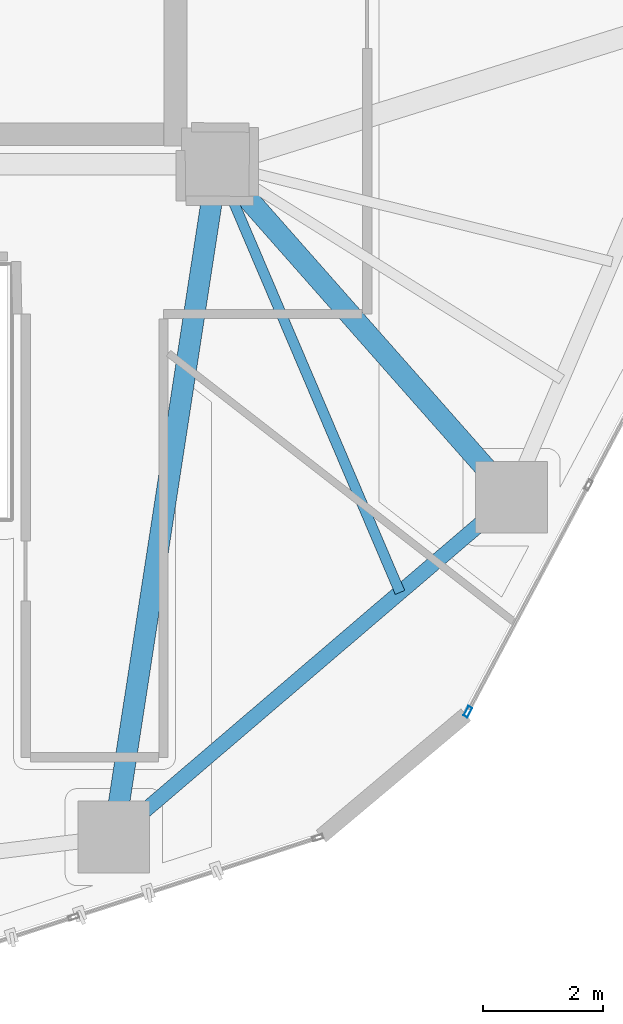
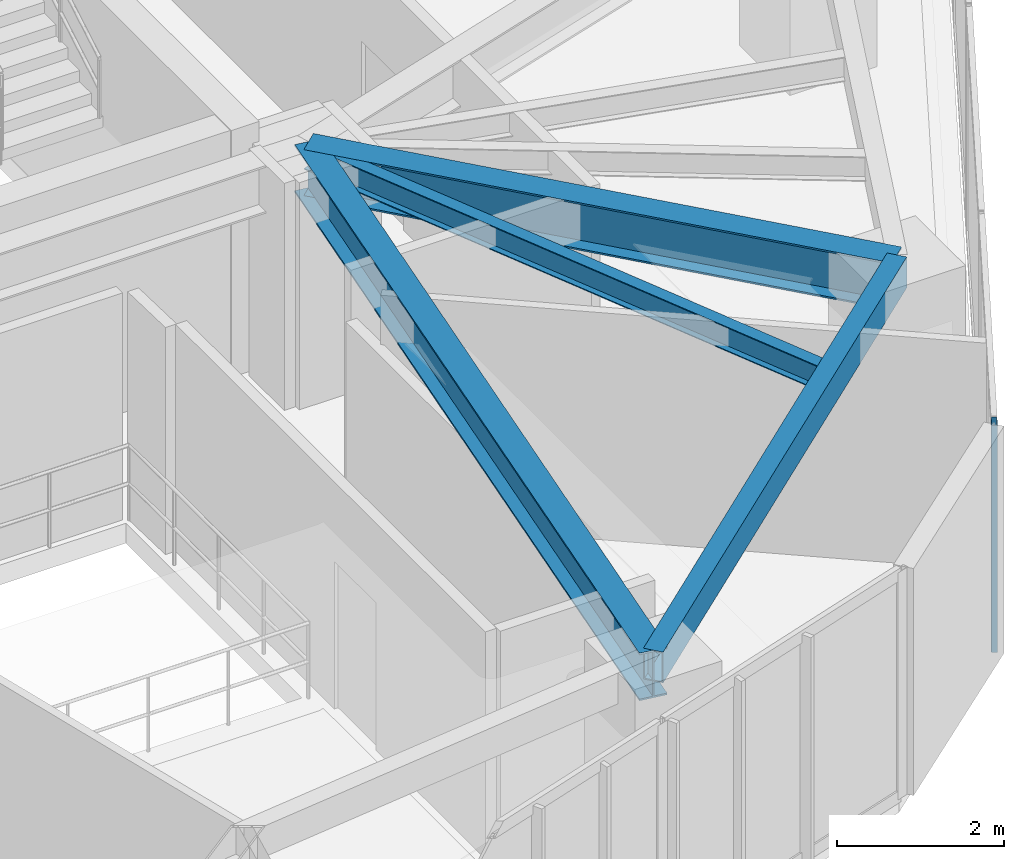
# One storey, part 6 of 21: 4 beams, 1 member, 1 element without a shape of its own.
"""IFC4 building model written with IfcOpenShell, lengths in metres."""

from ifc_helpers import new_model, si_unit, direction, frame, origin, origin_2d, place, context, subcontext, project, spatial, hollow_rectangle, i_section, extrude, source, transform, mapped, material, layer, layer_set, material_profile, profile_set, type_object, type_shapes, element, aggregate, save


model = new_model("IFC4")

# Units and contexts
model_context = context("Model", 3, precision=1e-05, world=origin(), true_north=direction((0.0, 1.0)))
body_context = subcontext(model_context, "Body", "Model", "MODEL_VIEW")
ifc_project = project(units=[si_unit("LENGTHUNIT", "METRE"), si_unit("AREAUNIT", "SQUARE_METRE"), si_unit("VOLUMEUNIT", "CUBIC_METRE"), si_unit("PLANEANGLEUNIT", "RADIAN"), si_unit("MASSUNIT", "GRAM", prefix="KILO")], contexts=[model_context])

# Site, building, storey
site_placement = place(None, origin())
site = spatial("IfcSite", under=ifc_project, at=site_placement, CompositionType="ELEMENT")
building_placement = place(site_placement, origin())
building = spatial("IfcBuilding", under=site, at=building_placement, Name="Talar Marvaseh", CompositionType="ELEMENT")
storey_placement = place(building_placement, frame((0.0, 0.0, 143.39990234375)))
storey = spatial("IfcBuildingStorey", under=building, at=storey_placement, Name="L37", CompositionType="ELEMENT", Elevation=143.39990234375)

# Beams
ifc_material_1 = material(Name="Steel S355", Category="steel")
ifc_material_profile_1 = material_profile(ifc_material_1, hollow_rectangle(XDim=0.25, YDim=0.449951171875, WallThickness=0.01611328125, at=origin_2d()), Name="RHS450x250x16")
ifc_profile_set_1 = profile_set([ifc_material_profile_1], Name="Steel S355")
beam_type_1 = type_object("IfcBeamType", Name="Zone 2 Perimeter Spandrel Beam RHS450x250x16", PredefinedType="SPANDREL", material=ifc_profile_set_1)
beam_1_placement = place(storey_placement, frame((38.2060546875, 19.94091796875, 3.085205078125), z_axis=(-0.76011265597, -0.649791312833, 0.0), x_axis=(0.649791312833, -0.76011265597, 0.0)))
element("IfcBeam", 1, at=beam_1_placement, inside=storey, type_object=beam_type_1, Name="L37 Zone 2 Perimeter Spandrel Beam RHS450x250x16", PredefinedType="SPANDREL", context=body_context, shape_type="SweptSolid", body=[
    extrude(hollow_rectangle(XDim=0.25, YDim=0.449951171875, WallThickness=0.01611328125, at=origin_2d()), origin(), (0.0, 0.0, 1.0), 8.730224609375),
])
ifc_material_profile_2 = material_profile(ifc_material_1, i_section(OverallWidth=0.35498046875, OverallDepth=0.695068359375, WebThickness=0.015380859375, FlangeThickness=0.02490234375, at=origin_2d()), Name="W690x217")
ifc_profile_set_2 = profile_set([ifc_material_profile_2], Name="Steel S355")
beam_type_2 = type_object("IfcBeamType", Name="Zone 2 Radial Floor Girder W690x217", PredefinedType="BEAM", material=ifc_profile_set_2)
beam_2_placement = place(storey_placement, frame((38.2060546875, 19.94091796875, 2.962646484375), z_axis=(-0.661692423388, 0.749775390921, 0.0), x_axis=(-0.749775390921, -0.661692423388, 0.0)))
element("IfcBeam", 2, at=beam_2_placement, inside=storey, type_object=beam_type_2, Name="L37 Zone 2 Radial Floor Girder W690x217", PredefinedType="BEAM", context=body_context, shape_type="SweptSolid", body=[
    extrude(i_section(OverallWidth=0.35498046875, OverallDepth=0.695068359375, WebThickness=0.015380859375, FlangeThickness=0.02490234375, at=origin_2d()), origin(), (0.0, 0.0, 1.0), 7.414306640625),
])
beam_3_placement = place(storey_placement, frame((31.570068359375, 14.26806640625, 2.962646484375), z_axis=(0.152228300633, 0.98834535689, 0.0), x_axis=(-0.98834535689, 0.152228300633, 0.0)))
element("IfcBeam", 3, at=beam_3_placement, inside=storey, type_object=beam_type_2, Name="L37 Zone 2 Radial Floor Girder W690x217", PredefinedType="BEAM", context=body_context, shape_type="SweptSolid", body=[
    extrude(i_section(OverallWidth=0.35498046875, OverallDepth=0.695068359375, WebThickness=0.015380859375, FlangeThickness=0.02490234375, at=origin_2d()), origin(), (0.0, 0.0, 1.0), 11.364501953125),
])
ifc_material_profile_3 = material_profile(ifc_material_1, i_section(OverallWidth=0.172119140625, OverallDepth=0.35791015625, WebThickness=0.0078125, FlangeThickness=0.01318359375, at=origin_2d()), Name="W360x57")
ifc_profile_set_3 = profile_set([ifc_material_profile_3], Name="Steel S355")
beam_type_3 = type_object("IfcBeamType", Name="Zone 2 Secondary Floor Joist W360x57", PredefinedType="JOIST", material=ifc_profile_set_3)
beam_4_placement = place(storey_placement, frame((36.347900390625, 18.3525390625, 3.131103515625), z_axis=(-0.39225012708, 0.919858596636, 0.0), x_axis=(-0.919858596636, -0.39225012708, 0.0)))
element("IfcBeam", 4, at=beam_4_placement, inside=storey, type_object=beam_type_3, Name="L37 Zone 2 Secondary Floor Joist W360x57", PredefinedType="JOIST", context=body_context, shape_type="SweptSolid", body=[
    extrude(i_section(OverallWidth=0.172119140625, OverallDepth=0.35791015625, WebThickness=0.0078125, FlangeThickness=0.01318359375, at=origin_2d()), origin(), (0.0, 0.0, 1.0), 7.770263671875),
])

# Curtain wall, member
ifc_material_2 = material(Name="Architectural Aluminium", Category="aluminium")
ifc_layer = layer(ifc_material_2, 0.199951171875)
ifc_layer_set = layer_set([ifc_layer], Name="Architectural Aluminium")
curtain_wall_type = type_object("IfcCurtainWallType", Name="Unitised Acoustic Library Curtain Wall Z2", PredefinedType="NOTDEFINED", material=ifc_layer_set)
curtain_wall_placement = place(storey_placement, origin())
curtain_wall = element("IfcCurtainWall", 5, at=curtain_wall_placement, inside=storey, type_object=curtain_wall_type, Name="L37 Unitised Acoustic Library Curtain Wall Z2", PredefinedType="NOTDEFINED")
ifc_material_profile_4 = material_profile(ifc_material_2, hollow_rectangle(XDim=0.074951171875, YDim=0.179931640625, WallThickness=0.0048828125, at=origin_2d()), Name="RHS180x75x5")
ifc_profile_set_4 = profile_set([ifc_material_profile_4], Name="Architectural Aluminium")
member_type = type_object("IfcMemberType", Name="Unitised Curtain Wall Standard Mullion RHS180x75x5", PredefinedType="MULLION", material=ifc_profile_set_4)
shared_shape = source(origin(), body_context, "Body", "SweptSolid", [
    extrude(hollow_rectangle(XDim=0.074951171875, YDim=0.179931640625, WallThickness=0.0048828125, at=origin_2d()), origin(), (0.0, 0.0, 1.0), 3.31005859375),
])
type_shapes(member_type, [shared_shape])
member_placement = place(storey_placement, frame((37.48046875, 16.361328125, 0.0), z_axis=(0.0, 0.0, 1.0), x_axis=(0.882873695005, -0.469610518056, 0.0)))
member = element("IfcMember", 6, at=member_placement, type_object=member_type, Name="CW-Z2 mullion 6", PredefinedType="MULLION", context=body_context, shape_type="MappedRepresentation", body=[
    mapped(shared_shape, transform((0.0, 0.0, 0.0), x_axis=(1.0, 0.0, 0.0), y_axis=(0.0, 1.0, 0.0), z_axis=(0.0, 0.0, 1.0), scale=1.0)),
])
aggregate(curtain_wall, [member])

save(model, "model.ifc")
